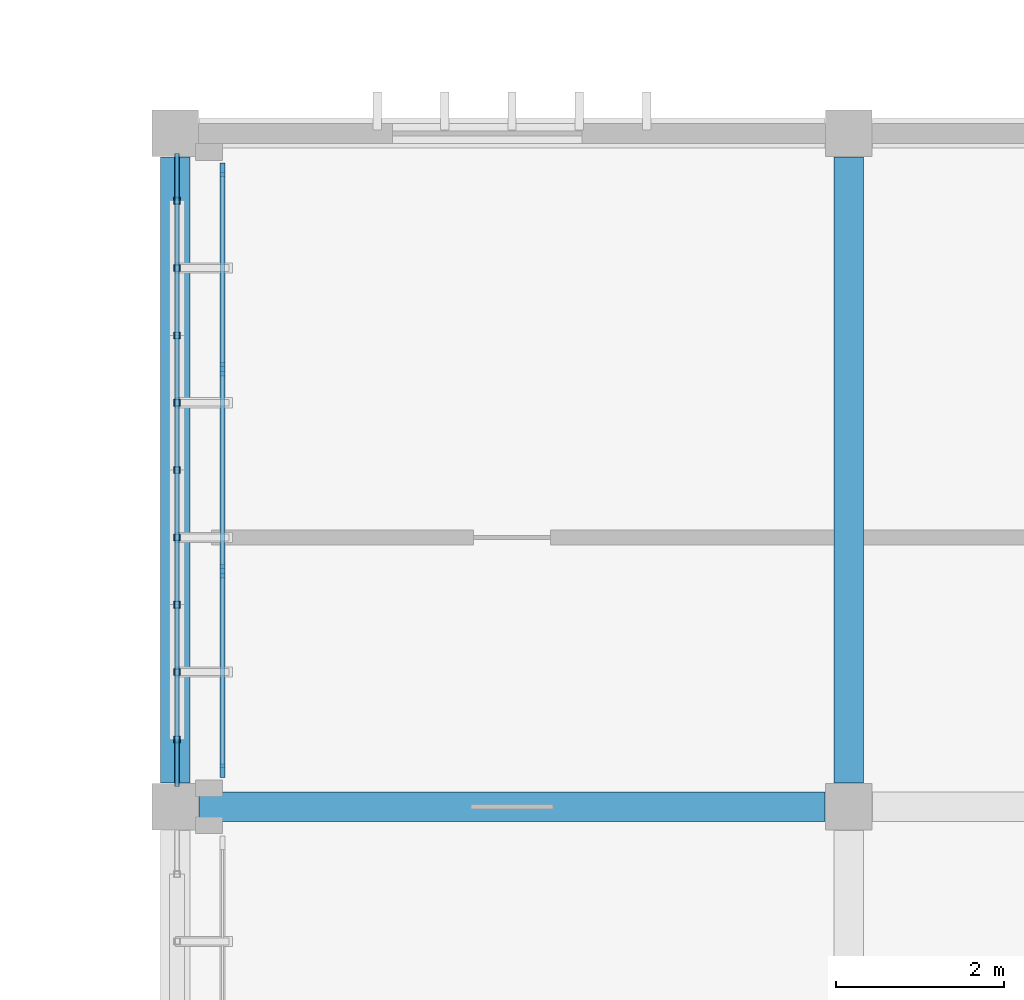
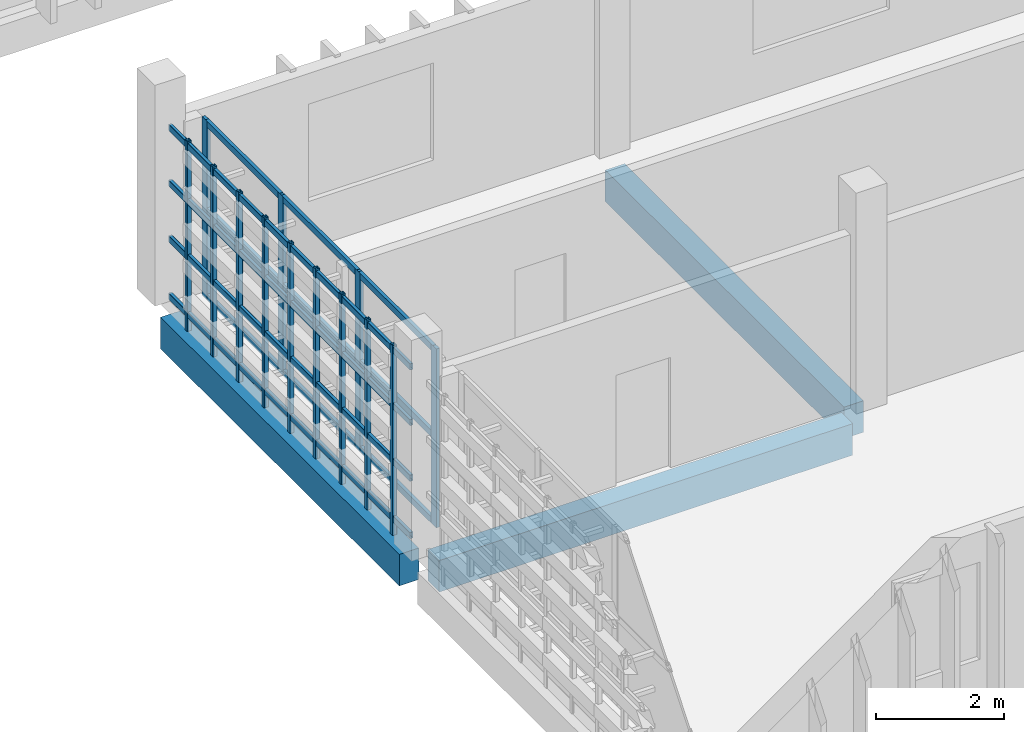
# One storey, part 15 of 48: 26 members, 3 beams, 1 element without a shape of its own.
"""IFC4 building model written with IfcOpenShell, lengths in metres."""

from ifc_helpers import new_model, si_unit, direction, frame, origin, origin_2d, place, context, subcontext, project, spatial, rectangle, hollow_rectangle, extrude, material, layer, layer_set, material_profile, profile_set, type_object, element, aggregate, save


model = new_model("IFC4")

# Units and contexts
model_context = context("Model", 3, precision=1e-05, world=origin(), true_north=direction((0.0, 1.0)))
body_context = subcontext(model_context, "Body", "Model", "MODEL_VIEW")
ifc_project = project(units=[si_unit("LENGTHUNIT", "METRE"), si_unit("AREAUNIT", "SQUARE_METRE"), si_unit("VOLUMEUNIT", "CUBIC_METRE"), si_unit("PLANEANGLEUNIT", "RADIAN"), si_unit("MASSUNIT", "GRAM", prefix="KILO")], contexts=[model_context])

# Site, building, storey
site_placement = place(None, origin())
site = spatial("IfcSite", under=ifc_project, at=site_placement, CompositionType="ELEMENT")
building_placement = place(site_placement, origin())
building = spatial("IfcBuilding", under=site, at=building_placement, Name="Jelvoka-Kovrelna Polytechnic", CompositionType="ELEMENT")
storey_placement = place(building_placement, frame((0.0, 0.0, 22.199951171875)))
storey = spatial("IfcBuildingStorey", under=building, at=storey_placement, Name="L06", CompositionType="ELEMENT", Elevation=22.199951171875)

# Beams
ifc_material_1 = material(Name="Concrete C35/45", Category="concrete")
ifc_material_profile_1 = material_profile(ifc_material_1, rectangle(XDim=0.35009765625, YDim=0.60009765625, at=origin_2d()), Name="RC 350x600")
ifc_profile_set_1 = profile_set([ifc_material_profile_1], Name="Concrete C35/45")
beam_type = type_object("IfcBeamType", Name="Beam_RC_350x600", PredefinedType="BEAM", material=ifc_profile_set_1)
for number, where, z_axis, x_axis, name in (
    (1, (128.280029296875, 40.0, -0.5400390625), (1.0, 0.0, 0.0), (0.0, 1.0, 0.0), "L06 beam 1661"),
    (2, (128.0, 40.280029296875, -0.5400390625), (0.0, 1.0, 0.0), (-1.0, 0.0, 0.0), "L06 beam 1679"),
    (3, (136.0, 40.280029296875, -0.5400390625), (0.0, 1.0, 0.0), (-1.0, 0.0, 0.0), "L06 beam 1681"),
):
    element("IfcBeam", number, at=place(storey_placement, frame(where, z_axis=z_axis, x_axis=x_axis)), inside=storey, type_object=beam_type, Name=name, PredefinedType="BEAM", context=body_context, shape_type="SweptSolid", body=[
        extrude(rectangle(XDim=0.35009765625, YDim=0.60009765625, at=origin_2d()), origin(), (0.0, 0.0, 1.0), 7.43994140625),
    ])

# Members
ifc_material_2 = material(Name="Structural steel S355J2H", Category="steel")
ifc_material_profile_2 = material_profile(ifc_material_2, hollow_rectangle(XDim=0.06005859375, YDim=0.1201171875, WallThickness=0.0048828125, InnerFilletRadius=0.0048828125, OuterFilletRadius=0.007568359375, at=origin_2d()), Name="120x60x5.0 RHS")
ifc_profile_set_2 = profile_set([ifc_material_profile_2], Name="Structural steel S355J2H")
member_type_1 = type_object("IfcMemberType", Name="Member_Strut_RHS120", PredefinedType="STRUT", material=ifc_profile_set_2)
for number, where, z_axis, x_axis, name in (
    (4, (128.02001953125, 40.239990234375, 0.080078125), (0.0, 1.0, 0.0), (-1.0, 0.0, 0.0), "L06 terracotta screen horizontal strut 0547"),
    (5, (128.02001953125, 40.239990234375, 1.17138671875), (0.0, 1.0, 0.0), (-1.0, 0.0, 0.0), "L06 terracotta screen horizontal strut 0548"),
    (6, (128.02001953125, 40.239990234375, 2.230712890625), (0.0, 1.0, 0.0), (-1.0, 0.0, 0.0), "L06 terracotta screen horizontal strut 0549"),
    (7, (128.02001953125, 40.239990234375, 3.2900390625), (0.0, 1.0, 0.0), (-1.0, 0.0, 0.0), "L06 terracotta screen horizontal strut 0550"),
):
    element("IfcMember", number, at=place(storey_placement, frame(where, z_axis=z_axis, x_axis=x_axis)), inside=storey, type_object=member_type_1, Name=name, PredefinedType="STRUT", context=body_context, shape_type="SweptSolid", body=[
        extrude(hollow_rectangle(XDim=0.06005859375, YDim=0.1201171875, WallThickness=0.0048828125, InnerFilletRadius=0.0048828125, OuterFilletRadius=0.007568359375, at=origin_2d()), origin(), (0.0, 0.0, 1.0), 7.52001953125),
    ])
ifc_material_3 = material(Name="Structural steel S355J2H", Category="steel")
ifc_material_profile_3 = material_profile(ifc_material_3, hollow_rectangle(XDim=0.080078125, YDim=0.080078125, WallThickness=0.0048828125, InnerFilletRadius=0.0048828125, OuterFilletRadius=0.007568359375, at=origin_2d()), Name="80x80x5.0 SHS")
ifc_profile_set_3 = profile_set([ifc_material_profile_3], Name="Structural steel S355J2H")
member_type_2 = type_object("IfcMemberType", Name="Member_Strut_SHS80", PredefinedType="STRUT", material=ifc_profile_set_3)
for number, where, z_axis, x_axis, name in (
    (8, (128.02001953125, 40.800048828125, -0.22998046875), (0.0, 0.0, 1.0), (1.0, 0.0, 0.0), "L06 terracotta lattice vertical rib 0551"),
    (9, (128.02001953125, 41.60009765625, -0.22998046875), (0.0, 0.0, 1.0), (1.0, 0.0, 0.0), "L06 terracotta lattice vertical rib 0552"),
    (10, (128.02001953125, 42.39990234375, -0.22998046875), (0.0, 0.0, 1.0), (1.0, 0.0, 0.0), "L06 terracotta lattice vertical rib 0553"),
    (11, (128.02001953125, 43.199951171875, -0.22998046875), (0.0, 0.0, 1.0), (1.0, 0.0, 0.0), "L06 terracotta lattice vertical rib 0554"),
    (12, (128.02001953125, 44.0, -0.22998046875), (0.0, 0.0, 1.0), (1.0, 0.0, 0.0), "L06 terracotta lattice vertical rib 0555"),
    (13, (128.02001953125, 44.800048828125, -0.22998046875), (0.0, 0.0, 1.0), (1.0, 0.0, 0.0), "L06 terracotta lattice vertical rib 0556"),
    (14, (128.02001953125, 45.60009765625, -0.22998046875), (0.0, 0.0, 1.0), (1.0, 0.0, 0.0), "L06 terracotta lattice vertical rib 0557"),
    (15, (128.02001953125, 46.39990234375, -0.22998046875), (0.0, 0.0, 1.0), (1.0, 0.0, 0.0), "L06 terracotta lattice vertical rib 0558"),
    (16, (128.02001953125, 47.199951171875, -0.22998046875), (0.0, 0.0, 1.0), (1.0, 0.0, 0.0), "L06 terracotta lattice vertical rib 0559"),
):
    element("IfcMember", number, at=place(storey_placement, frame(where, z_axis=z_axis, x_axis=x_axis)), inside=storey, type_object=member_type_2, Name=name, PredefinedType="STRUT", context=body_context, shape_type="SweptSolid", body=[
        extrude(hollow_rectangle(XDim=0.080078125, YDim=0.080078125, WallThickness=0.0048828125, InnerFilletRadius=0.0048828125, OuterFilletRadius=0.007568359375, at=origin_2d()), origin(), (0.0, 0.0, 1.0), 3.610107421875),
    ])

# Curtain wall, members
ifc_material_4 = material(Name="Anodised aluminium 6063-T6", Category="aluminium")
ifc_layer = layer(ifc_material_4, 0.159912109375)
ifc_layer_set = layer_set([ifc_layer], Name="Anodised aluminium 6063-T6")
curtain_wall_type = type_object("IfcCurtainWallType", Name="CW_Recessed_A", PredefinedType="NOTDEFINED", material=ifc_layer_set)
curtain_wall_placement = place(storey_placement, origin())
curtain_wall = element("IfcCurtainWall", 17, at=curtain_wall_placement, inside=storey, type_object=curtain_wall_type, Name="L06 glazed curtain wall 075", PredefinedType="NOTDEFINED")
ifc_material_5 = material(Name="Anodised aluminium 6063-T6", Category="aluminium")
ifc_material_profile_4 = material_profile(ifc_material_5, rectangle(XDim=0.06005859375, YDim=0.159912109375, at=origin_2d()), Name="ALU 60x160")
ifc_profile_set_4 = profile_set([ifc_material_profile_4], Name="Anodised aluminium 6063-T6")
member_type_3 = type_object("IfcMemberType", Name="Mullion_M-01", PredefinedType="MULLION", material=ifc_profile_set_4)
member_1_placement = place(storey_placement, frame((128.56005859375, 40.429931640625, -0.02490234375), z_axis=(0.0, 0.0, 1.0), x_axis=(-1.0, 0.0, 0.0)))
member_1 = element("IfcMember", 18, at=member_1_placement, type_object=member_type_3, Name="CW-01 mullion 1", PredefinedType="MULLION", context=body_context, shape_type="SweptSolid", body=[
    extrude(rectangle(XDim=0.06005859375, YDim=0.159912109375, at=origin_2d()), origin(), (0.0, 0.0, 1.0), 3.400146484375),
])
member_2_placement = place(storey_placement, frame((128.56005859375, 42.800048828125, -0.02490234375), z_axis=(0.0, 0.0, 1.0), x_axis=(-1.0, 0.0, 0.0)))
member_2 = element("IfcMember", 19, at=member_2_placement, type_object=member_type_3, Name="CW-01 mullion 2", PredefinedType="MULLION", context=body_context, shape_type="SweptSolid", body=[
    extrude(rectangle(XDim=0.06005859375, YDim=0.159912109375, at=origin_2d()), origin(), (0.0, 0.0, 1.0), 3.400146484375),
])
member_3_placement = place(storey_placement, frame((128.56005859375, 45.199951171875, -0.02490234375), z_axis=(0.0, 0.0, 1.0), x_axis=(-1.0, 0.0, 0.0)))
member_3 = element("IfcMember", 20, at=member_3_placement, type_object=member_type_3, Name="CW-01 mullion 3", PredefinedType="MULLION", context=body_context, shape_type="SweptSolid", body=[
    extrude(rectangle(XDim=0.06005859375, YDim=0.159912109375, at=origin_2d()), origin(), (0.0, 0.0, 1.0), 3.400146484375),
])
member_4_placement = place(storey_placement, frame((128.56005859375, 47.570068359375, -0.02490234375), z_axis=(0.0, 0.0, 1.0), x_axis=(-1.0, 0.0, 0.0)))
member_4 = element("IfcMember", 21, at=member_4_placement, type_object=member_type_3, Name="CW-01 mullion 4", PredefinedType="MULLION", context=body_context, shape_type="SweptSolid", body=[
    extrude(rectangle(XDim=0.06005859375, YDim=0.159912109375, at=origin_2d()), origin(), (0.0, 0.0, 1.0), 3.400146484375),
])
ifc_material_6 = material(Name="Anodised aluminium 6063-T6", Category="aluminium")
ifc_material_profile_5 = material_profile(ifc_material_6, rectangle(XDim=0.06005859375, YDim=0.1201171875, at=origin_2d()), Name="ALU 60x120")
ifc_profile_set_5 = profile_set([ifc_material_profile_5], Name="Anodised aluminium 6063-T6")
member_type_4 = type_object("IfcMemberType", Name="Transom_T-01", PredefinedType="USERDEFINED", material=ifc_profile_set_5)
member_5_placement = place(storey_placement, frame((128.56005859375, 40.4599609375, 0.030029296875), z_axis=(0.0, 1.0, 0.0), x_axis=(-1.0, 0.0, 0.0)))
member_5 = element("IfcMember", 22, at=member_5_placement, type_object=member_type_4, Name="CW-01 transom 1.1", ObjectType="TRANSOM", PredefinedType="USERDEFINED", context=body_context, shape_type="SweptSolid", body=[
    extrude(rectangle(XDim=0.06005859375, YDim=0.1201171875, at=origin_2d()), origin(), (0.0, 0.0, 1.0), 2.31005859375),
])
member_6_placement = place(storey_placement, frame((128.56005859375, 40.4599609375, 1.675048828125), z_axis=(0.0, 1.0, 0.0), x_axis=(-1.0, 0.0, 0.0)))
member_6 = element("IfcMember", 23, at=member_6_placement, type_object=member_type_4, Name="CW-01 transom 1.2", ObjectType="TRANSOM", PredefinedType="USERDEFINED", context=body_context, shape_type="SweptSolid", body=[
    extrude(rectangle(XDim=0.06005859375, YDim=0.1201171875, at=origin_2d()), origin(), (0.0, 0.0, 1.0), 2.31005859375),
])
member_7_placement = place(storey_placement, frame((128.56005859375, 40.4599609375, 3.320068359375), z_axis=(0.0, 1.0, 0.0), x_axis=(-1.0, 0.0, 0.0)))
member_7 = element("IfcMember", 24, at=member_7_placement, type_object=member_type_4, Name="CW-01 transom 1.3", ObjectType="TRANSOM", PredefinedType="USERDEFINED", context=body_context, shape_type="SweptSolid", body=[
    extrude(rectangle(XDim=0.06005859375, YDim=0.1201171875, at=origin_2d()), origin(), (0.0, 0.0, 1.0), 2.31005859375),
])
member_8_placement = place(storey_placement, frame((128.56005859375, 42.830078125, 0.030029296875), z_axis=(0.0, 1.0, 0.0), x_axis=(-1.0, 0.0, 0.0)))
member_8 = element("IfcMember", 25, at=member_8_placement, type_object=member_type_4, Name="CW-01 transom 2.1", ObjectType="TRANSOM", PredefinedType="USERDEFINED", context=body_context, shape_type="SweptSolid", body=[
    extrude(rectangle(XDim=0.06005859375, YDim=0.1201171875, at=origin_2d()), origin(), (0.0, 0.0, 1.0), 2.33984375),
])
member_9_placement = place(storey_placement, frame((128.56005859375, 42.830078125, 1.675048828125), z_axis=(0.0, 1.0, 0.0), x_axis=(-1.0, 0.0, 0.0)))
member_9 = element("IfcMember", 26, at=member_9_placement, type_object=member_type_4, Name="CW-01 transom 2.2", ObjectType="TRANSOM", PredefinedType="USERDEFINED", context=body_context, shape_type="SweptSolid", body=[
    extrude(rectangle(XDim=0.06005859375, YDim=0.1201171875, at=origin_2d()), origin(), (0.0, 0.0, 1.0), 2.33984375),
])
member_10_placement = place(storey_placement, frame((128.56005859375, 42.830078125, 3.320068359375), z_axis=(0.0, 1.0, 0.0), x_axis=(-1.0, 0.0, 0.0)))
member_10 = element("IfcMember", 27, at=member_10_placement, type_object=member_type_4, Name="CW-01 transom 2.3", ObjectType="TRANSOM", PredefinedType="USERDEFINED", context=body_context, shape_type="SweptSolid", body=[
    extrude(rectangle(XDim=0.06005859375, YDim=0.1201171875, at=origin_2d()), origin(), (0.0, 0.0, 1.0), 2.33984375),
])
member_11_placement = place(storey_placement, frame((128.56005859375, 45.22998046875, 0.030029296875), z_axis=(0.0, 1.0, 0.0), x_axis=(-1.0, 0.0, 0.0)))
member_11 = element("IfcMember", 28, at=member_11_placement, type_object=member_type_4, Name="CW-01 transom 3.1", ObjectType="TRANSOM", PredefinedType="USERDEFINED", context=body_context, shape_type="SweptSolid", body=[
    extrude(rectangle(XDim=0.06005859375, YDim=0.1201171875, at=origin_2d()), origin(), (0.0, 0.0, 1.0), 2.31005859375),
])
member_12_placement = place(storey_placement, frame((128.56005859375, 45.22998046875, 1.675048828125), z_axis=(0.0, 1.0, 0.0), x_axis=(-1.0, 0.0, 0.0)))
member_12 = element("IfcMember", 29, at=member_12_placement, type_object=member_type_4, Name="CW-01 transom 3.2", ObjectType="TRANSOM", PredefinedType="USERDEFINED", context=body_context, shape_type="SweptSolid", body=[
    extrude(rectangle(XDim=0.06005859375, YDim=0.1201171875, at=origin_2d()), origin(), (0.0, 0.0, 1.0), 2.31005859375),
])
member_13_placement = place(storey_placement, frame((128.56005859375, 45.22998046875, 3.320068359375), z_axis=(0.0, 1.0, 0.0), x_axis=(-1.0, 0.0, 0.0)))
member_13 = element("IfcMember", 30, at=member_13_placement, type_object=member_type_4, Name="CW-01 transom 3.3", ObjectType="TRANSOM", PredefinedType="USERDEFINED", context=body_context, shape_type="SweptSolid", body=[
    extrude(rectangle(XDim=0.06005859375, YDim=0.1201171875, at=origin_2d()), origin(), (0.0, 0.0, 1.0), 2.31005859375),
])
aggregate(curtain_wall, [member_1, member_2, member_3, member_4, member_5, member_6, member_7, member_8, member_9, member_10, member_11, member_12, member_13])

save(model, "model.ifc")
